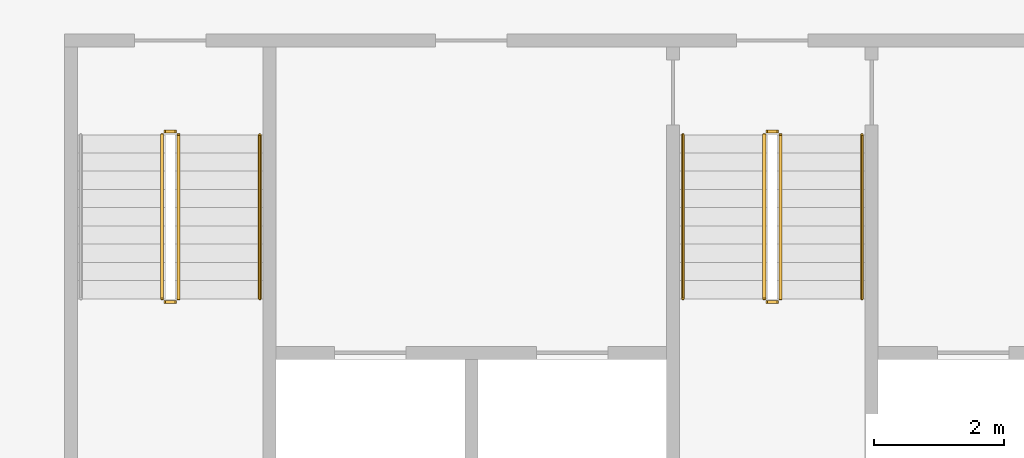
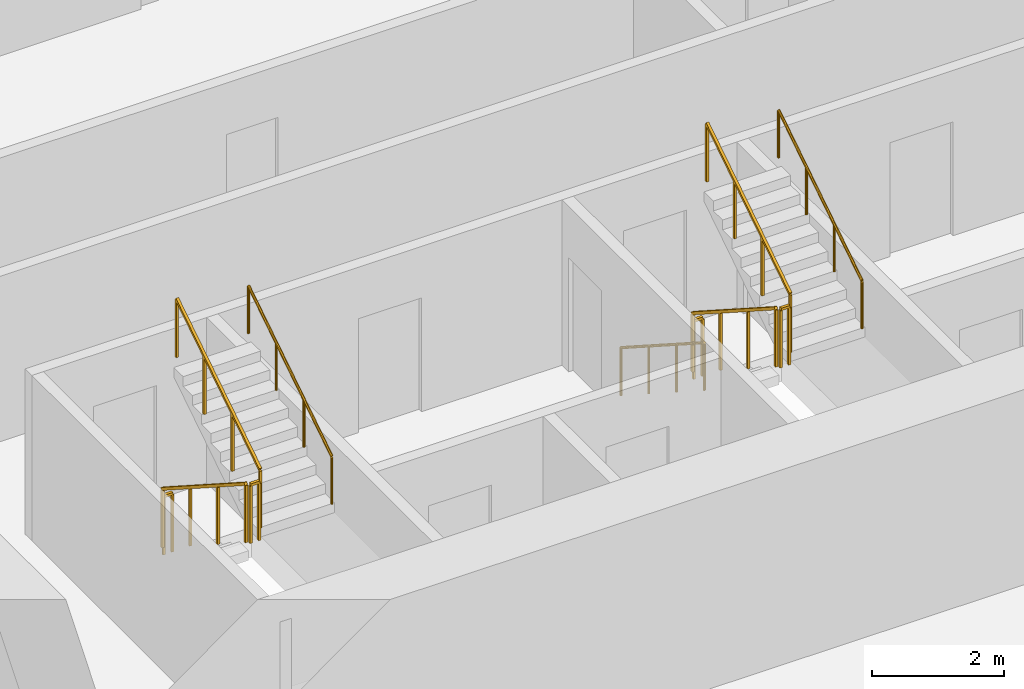
# One storey, part 14 of 16: 11 railings.
"""IFC4 building model written with IfcOpenShell, lengths in metres."""

from ifc_helpers import new_model, si_unit, direction, frame, origin, origin_2d, place, context, subcontext, project, spatial, rectangle, circle, extrude, material, type_object, element, save


model = new_model("IFC4")

# Units and contexts
model_context = context("Model", 3, precision=1e-05, world=origin(), true_north=direction((0.0, 1.0)))
body_context = subcontext(model_context, "Body", "Model", "MODEL_VIEW")
ifc_project = project(units=[si_unit("LENGTHUNIT", "METRE"), si_unit("AREAUNIT", "SQUARE_METRE"), si_unit("VOLUMEUNIT", "CUBIC_METRE"), si_unit("PLANEANGLEUNIT", "RADIAN"), si_unit("MASSUNIT", "GRAM", prefix="KILO")], contexts=[model_context])

# Site, building, storey
site_placement = place(None, origin())
site = spatial("IfcSite", under=ifc_project, at=site_placement, CompositionType="ELEMENT")
building_placement = place(site_placement, origin())
building = spatial("IfcBuilding", under=site, at=building_placement, Name="Mangrove Gate Tower", CompositionType="ELEMENT")
storey_placement = place(building_placement, frame((0.0, 0.0, 137.300048828125)))
storey = spatial("IfcBuildingStorey", under=building, at=storey_placement, Name="L34", CompositionType="ELEMENT", Elevation=137.300048828125)

# Railings
ifc_material_1 = material(Name="Stainless steel 316", Category="steel")
railing_type_1 = type_object("IfcRailingType", Name="Core stair guard 1100", PredefinedType="GUARDRAIL", material=ifc_material_1)
railing_1_placement = place(storey_placement, frame((-9.39990234375, -4.64990234375, 0.179931640625)))
element("IfcRailing", 1, at=railing_1_placement, inside=storey, type_object=railing_type_1, Name="L34 ST1 stair guard 1", PredefinedType="GUARDRAIL", context=body_context, shape_type="SweptSolid", body=[
    extrude(rectangle(XDim=0.048095703125, YDim=0.048095703125, at=origin_2d()), frame((0.0, 0.0, 1.076171875), z_axis=(0.0, -0.841162588446, 0.540782303519), x_axis=(1.0, 0.0, 0.0)), (0.0, 0.0, 1.0), 2.995849609375),
    extrude(rectangle(XDim=0.0419921875, YDim=0.0419921875, at=origin_2d()), origin(), (0.0, 0.0, 1.0), 1.052001953125),
    extrude(rectangle(XDim=0.0419921875, YDim=0.0419921875, at=origin_2d()), frame((0.0, -0.840087890625, 0.5400390625)), (0.0, 0.0, 1.0), 1.052001953125),
    extrude(rectangle(XDim=0.0419921875, YDim=0.0419921875, at=origin_2d()), frame((0.0, -1.679931640625, 1.080078125)), (0.0, 0.0, 1.0), 1.052001953125),
    extrude(rectangle(XDim=0.0419921875, YDim=0.0419921875, at=origin_2d()), frame((0.0, -2.52001953125, 1.6201171875)), (0.0, 0.0, 1.0), 1.052001953125),
])
railing_2_placement = place(storey_placement, frame((-9.35009765625, -7.219970703125, 1.800048828125)))
element("IfcRailing", 2, at=railing_2_placement, inside=storey, type_object=railing_type_1, Name="L34 ST1 stair guard 2", PredefinedType="GUARDRAIL", context=body_context, shape_type="SweptSolid", body=[
    extrude(rectangle(XDim=0.048095703125, YDim=0.048095703125, at=origin_2d()), frame((0.0, 0.0, 1.076171875), z_axis=(1.0, 0.0, 0.0), x_axis=(0.0, 1.0, 0.0)), (0.0, 0.0, 1.0), 0.150146484375),
    extrude(rectangle(XDim=0.0419921875, YDim=0.0419921875, at=origin_2d()), origin(), (0.0, 0.0, 1.0), 1.052001953125),
    extrude(rectangle(XDim=0.0419921875, YDim=0.0419921875, at=origin_2d()), frame((0.150146484375, 0.0, 0.0)), (0.0, 0.0, 1.0), 1.052001953125),
])
railing_3_placement = place(storey_placement, frame((-9.14990234375, -7.169921875, 1.97998046875)))
element("IfcRailing", 3, at=railing_3_placement, inside=storey, type_object=railing_type_1, Name="L34 ST1 stair guard 3", PredefinedType="GUARDRAIL", context=body_context, shape_type="SweptSolid", body=[
    extrude(rectangle(XDim=0.048095703125, YDim=0.048095703125, at=origin_2d()), frame((0.0, 0.0, 1.076171875), z_axis=(0.0, 0.841199657755, 0.540724639528), x_axis=(-1.0, 0.0, 0.0)), (0.0, 0.0, 1.0), 2.995849609375),
    extrude(rectangle(XDim=0.0419921875, YDim=0.0419921875, at=origin_2d()), origin(), (0.0, 0.0, 1.0), 1.052001953125),
    extrude(rectangle(XDim=0.0419921875, YDim=0.0419921875, at=origin_2d()), frame((0.0, 0.840087890625, 0.5400390625)), (0.0, 0.0, 1.0), 1.052001953125),
    extrude(rectangle(XDim=0.0419921875, YDim=0.0419921875, at=origin_2d()), frame((0.0, 1.679931640625, 1.079833984375)), (0.0, 0.0, 1.0), 1.052001953125),
    extrude(rectangle(XDim=0.0419921875, YDim=0.0419921875, at=origin_2d()), frame((0.0, 2.52001953125, 1.619873046875)), (0.0, 0.0, 1.0), 1.052001953125),
])
railing_4_placement = place(storey_placement, frame((-9.35009765625, -4.60009765625, 0.0)))
element("IfcRailing", 4, at=railing_4_placement, inside=storey, type_object=railing_type_1, Name="L34 ST1 stair guard 4", PredefinedType="GUARDRAIL", context=body_context, shape_type="SweptSolid", body=[
    extrude(rectangle(XDim=0.048095703125, YDim=0.048095703125, at=origin_2d()), frame((0.0, 0.0, 1.076171875), z_axis=(1.0, 0.0, 0.0), x_axis=(0.0, 1.0, 0.0)), (0.0, 0.0, 1.0), 0.150146484375),
    extrude(rectangle(XDim=0.0419921875, YDim=0.0419921875, at=origin_2d()), origin(), (0.0, 0.0, 1.0), 1.052001953125),
    extrude(rectangle(XDim=0.0419921875, YDim=0.0419921875, at=origin_2d()), frame((0.150146484375, 0.0, 0.0)), (0.0, 0.0, 1.0), 1.052001953125),
])
railing_5_placement = place(storey_placement, frame((-0.14990234375, -4.64990234375, 0.179931640625)))
element("IfcRailing", 5, at=railing_5_placement, inside=storey, type_object=railing_type_1, Name="L34 ST2 stair guard 1", PredefinedType="GUARDRAIL", context=body_context, shape_type="SweptSolid", body=[
    extrude(rectangle(XDim=0.048095703125, YDim=0.048095703125, at=origin_2d()), frame((0.0, 0.0, 1.076171875), z_axis=(0.0, -0.841162588446, 0.540782303519), x_axis=(1.0, 0.0, 0.0)), (0.0, 0.0, 1.0), 2.995849609375),
    extrude(rectangle(XDim=0.0419921875, YDim=0.0419921875, at=origin_2d()), origin(), (0.0, 0.0, 1.0), 1.052001953125),
    extrude(rectangle(XDim=0.0419921875, YDim=0.0419921875, at=origin_2d()), frame((0.0, -0.840087890625, 0.5400390625)), (0.0, 0.0, 1.0), 1.052001953125),
    extrude(rectangle(XDim=0.0419921875, YDim=0.0419921875, at=origin_2d()), frame((0.0, -1.679931640625, 1.080078125)), (0.0, 0.0, 1.0), 1.052001953125),
    extrude(rectangle(XDim=0.0419921875, YDim=0.0419921875, at=origin_2d()), frame((0.0, -2.52001953125, 1.6201171875)), (0.0, 0.0, 1.0), 1.052001953125),
])
railing_6_placement = place(storey_placement, frame((-0.10009765625, -7.219970703125, 1.800048828125)))
element("IfcRailing", 6, at=railing_6_placement, inside=storey, type_object=railing_type_1, Name="L34 ST2 stair guard 2", PredefinedType="GUARDRAIL", context=body_context, shape_type="SweptSolid", body=[
    extrude(rectangle(XDim=0.048095703125, YDim=0.048095703125, at=origin_2d()), frame((0.0, 0.0, 1.076171875), z_axis=(1.0, 0.0, 0.0), x_axis=(0.0, 1.0, 0.0)), (0.0, 0.0, 1.0), 0.150146484375),
    extrude(rectangle(XDim=0.0419921875, YDim=0.0419921875, at=origin_2d()), origin(), (0.0, 0.0, 1.0), 1.052001953125),
    extrude(rectangle(XDim=0.0419921875, YDim=0.0419921875, at=origin_2d()), frame((0.150146484375, 0.0, 0.0)), (0.0, 0.0, 1.0), 1.052001953125),
])
railing_7_placement = place(storey_placement, frame((0.10009765625, -7.169921875, 1.97998046875)))
element("IfcRailing", 7, at=railing_7_placement, inside=storey, type_object=railing_type_1, Name="L34 ST2 stair guard 3", PredefinedType="GUARDRAIL", context=body_context, shape_type="SweptSolid", body=[
    extrude(rectangle(XDim=0.048095703125, YDim=0.048095703125, at=origin_2d()), frame((0.0, 0.0, 1.076171875), z_axis=(0.0, 0.841199657755, 0.540724639528), x_axis=(-1.0, 0.0, 0.0)), (0.0, 0.0, 1.0), 2.995849609375),
    extrude(rectangle(XDim=0.0419921875, YDim=0.0419921875, at=origin_2d()), origin(), (0.0, 0.0, 1.0), 1.052001953125),
    extrude(rectangle(XDim=0.0419921875, YDim=0.0419921875, at=origin_2d()), frame((0.0, 0.840087890625, 0.5400390625)), (0.0, 0.0, 1.0), 1.052001953125),
    extrude(rectangle(XDim=0.0419921875, YDim=0.0419921875, at=origin_2d()), frame((0.0, 1.679931640625, 1.079833984375)), (0.0, 0.0, 1.0), 1.052001953125),
    extrude(rectangle(XDim=0.0419921875, YDim=0.0419921875, at=origin_2d()), frame((0.0, 2.52001953125, 1.619873046875)), (0.0, 0.0, 1.0), 1.052001953125),
])
railing_8_placement = place(storey_placement, frame((-0.10009765625, -4.60009765625, 0.0)))
element("IfcRailing", 8, at=railing_8_placement, inside=storey, type_object=railing_type_1, Name="L34 ST2 stair guard 4", PredefinedType="GUARDRAIL", context=body_context, shape_type="SweptSolid", body=[
    extrude(rectangle(XDim=0.048095703125, YDim=0.048095703125, at=origin_2d()), frame((0.0, 0.0, 1.076171875), z_axis=(1.0, 0.0, 0.0), x_axis=(0.0, 1.0, 0.0)), (0.0, 0.0, 1.0), 0.150146484375),
    extrude(rectangle(XDim=0.0419921875, YDim=0.0419921875, at=origin_2d()), origin(), (0.0, 0.0, 1.0), 1.052001953125),
    extrude(rectangle(XDim=0.0419921875, YDim=0.0419921875, at=origin_2d()), frame((0.150146484375, 0.0, 0.0)), (0.0, 0.0, 1.0), 1.052001953125),
])
ifc_material_2 = material(Name="Stainless steel 316", Category="steel")
railing_type_2 = type_object("IfcRailingType", Name="Core stair handrail 900", PredefinedType="HANDRAIL", material=ifc_material_2)
railing_9_placement = place(storey_placement, frame((-7.89990234375, -7.169921875, 1.97998046875)))
element("IfcRailing", 9, at=railing_9_placement, inside=storey, type_object=railing_type_2, Name="L34 ST1 stair handrail 2", PredefinedType="HANDRAIL", context=body_context, shape_type="SweptSolid", body=[
    extrude(circle(Radius=0.02392578125, at=origin_2d()), frame((0.0, 0.0, 0.8759765625), z_axis=(0.0, 0.841199657755, 0.540724639528), x_axis=(-1.0, 0.0, 0.0)), (0.0, 0.0, 1.0), 2.995849609375),
    extrude(circle(Radius=0.02099609375, at=origin_2d()), origin(), (0.0, 0.0, 1.0), 0.851806640625),
    extrude(circle(Radius=0.02099609375, at=origin_2d()), frame((0.0, 0.840087890625, 0.5400390625)), (0.0, 0.0, 1.0), 0.851806640625),
    extrude(circle(Radius=0.02099609375, at=origin_2d()), frame((0.0, 1.679931640625, 1.079833984375)), (0.0, 0.0, 1.0), 0.851806640625),
    extrude(circle(Radius=0.02099609375, at=origin_2d()), frame((0.0, 2.52001953125, 1.619873046875)), (0.0, 0.0, 1.0), 0.851806640625),
])
railing_10_placement = place(storey_placement, frame((-1.39990234375, -4.64990234375, 0.179931640625)))
element("IfcRailing", 10, at=railing_10_placement, inside=storey, type_object=railing_type_2, Name="L34 ST2 stair handrail 1", PredefinedType="HANDRAIL", context=body_context, shape_type="SweptSolid", body=[
    extrude(circle(Radius=0.02392578125, at=origin_2d()), frame((0.0, 0.0, 0.8759765625), z_axis=(0.0, -0.841162588446, 0.540782303519), x_axis=(1.0, 0.0, 0.0)), (0.0, 0.0, 1.0), 2.995849609375),
    extrude(circle(Radius=0.02099609375, at=origin_2d()), origin(), (0.0, 0.0, 1.0), 0.851806640625),
    extrude(circle(Radius=0.02099609375, at=origin_2d()), frame((0.0, -0.840087890625, 0.5400390625)), (0.0, 0.0, 1.0), 0.851806640625),
    extrude(circle(Radius=0.02099609375, at=origin_2d()), frame((0.0, -1.679931640625, 1.080078125)), (0.0, 0.0, 1.0), 0.851806640625),
    extrude(circle(Radius=0.02099609375, at=origin_2d()), frame((0.0, -2.52001953125, 1.6201171875)), (0.0, 0.0, 1.0), 0.851806640625),
])
railing_11_placement = place(storey_placement, frame((1.35009765625, -7.169921875, 1.97998046875)))
element("IfcRailing", 11, at=railing_11_placement, inside=storey, type_object=railing_type_2, Name="L34 ST2 stair handrail 2", PredefinedType="HANDRAIL", context=body_context, shape_type="SweptSolid", body=[
    extrude(circle(Radius=0.02392578125, at=origin_2d()), frame((0.0, 0.0, 0.8759765625), z_axis=(0.0, 0.841199657755, 0.540724639528), x_axis=(-1.0, 0.0, 0.0)), (0.0, 0.0, 1.0), 2.995849609375),
    extrude(circle(Radius=0.02099609375, at=origin_2d()), origin(), (0.0, 0.0, 1.0), 0.851806640625),
    extrude(circle(Radius=0.02099609375, at=origin_2d()), frame((0.0, 0.840087890625, 0.5400390625)), (0.0, 0.0, 1.0), 0.851806640625),
    extrude(circle(Radius=0.02099609375, at=origin_2d()), frame((0.0, 1.679931640625, 1.079833984375)), (0.0, 0.0, 1.0), 0.851806640625),
    extrude(circle(Radius=0.02099609375, at=origin_2d()), frame((0.0, 2.52001953125, 1.619873046875)), (0.0, 0.0, 1.0), 0.851806640625),
])

save(model, "model.ifc")
